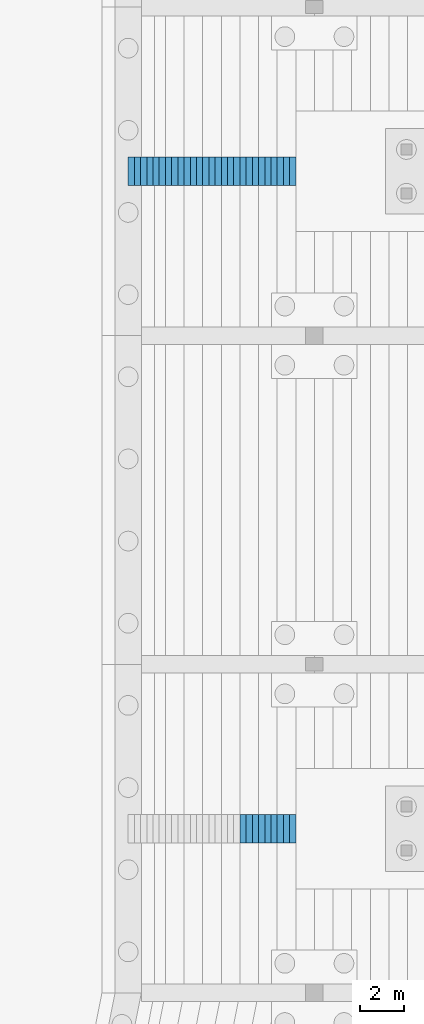
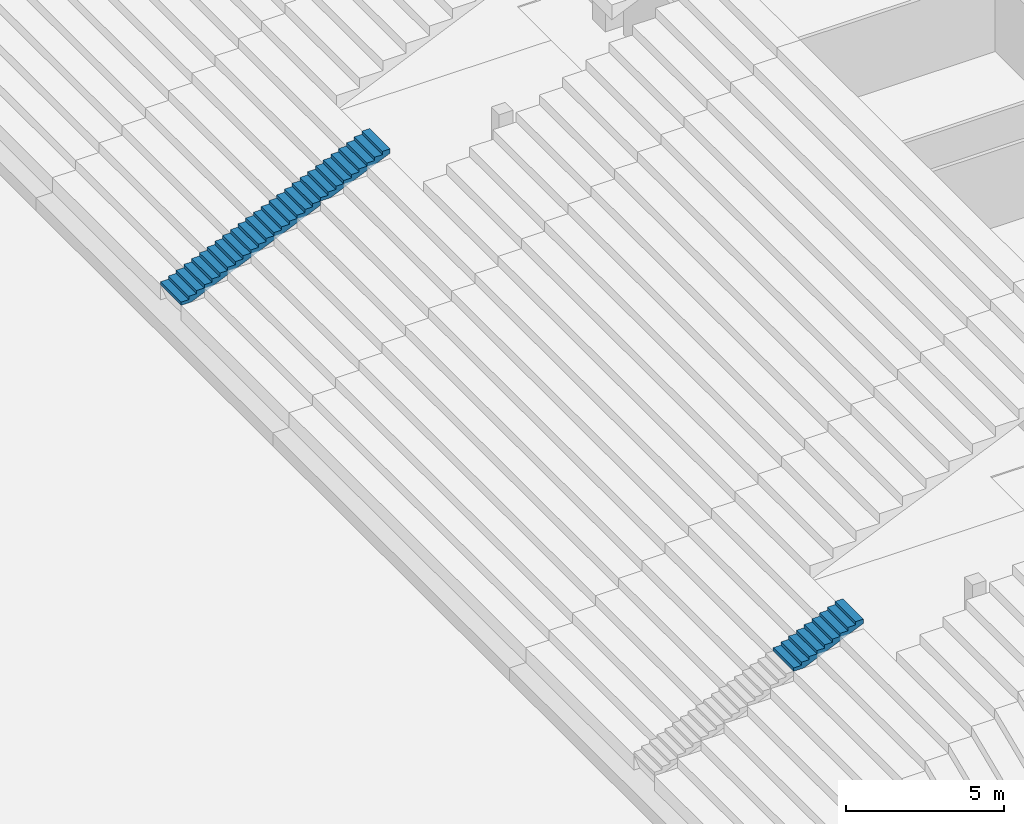
# One storey, part 79 of 115: 3 stair flights, 2 elements without a shape of their own.
"""IFC4 building model written with IfcOpenShell, lengths in metres."""

from ifc_helpers import new_model, si_unit, direction, frame, origin, place, context, subcontext, project, spatial, faceted_brep, material, type_object, element, aggregate, save


model = new_model("IFC4")

# Units and contexts
model_context = context("Model", 3, precision=1e-05, world=origin(), true_north=direction((0.0, 1.0)))
body_context = subcontext(model_context, "Body", "Model", "MODEL_VIEW")
ifc_project = project(units=[si_unit("LENGTHUNIT", "METRE"), si_unit("AREAUNIT", "SQUARE_METRE"), si_unit("VOLUMEUNIT", "CUBIC_METRE"), si_unit("PLANEANGLEUNIT", "RADIAN"), si_unit("MASSUNIT", "GRAM", prefix="KILO")], contexts=[model_context])

# Site, building, storey
site_placement = place(None, origin())
site = spatial("IfcSite", under=ifc_project, at=site_placement, CompositionType="ELEMENT")
building_placement = place(site_placement, origin())
building = spatial("IfcBuilding", under=site, at=building_placement, Name="Ogive Plaza Stadium", CompositionType="ELEMENT")
storey_placement = place(building_placement, frame((0.0, 0.0, -4.5)))
storey = spatial("IfcBuildingStorey", under=building, at=storey_placement, Name="B1", CompositionType="ELEMENT", Elevation=-4.5)

# Stair, stair flights
ifc_material_1 = material(Name="Concrete C40/50", Category="concrete")
stair_type = type_object("IfcStairType", Name="Aisle stair", PredefinedType="STRAIGHT_RUN_STAIR", material=ifc_material_1)
stair_1_placement = place(storey_placement, origin())
stair_1 = element("IfcStair", 1, at=stair_1_placement, inside=storey, type_object=stair_type, Name="Aisle stair SA05D", PredefinedType="STRAIGHT_RUN_STAIR")
ifc_material_2 = material(Name="Concrete C40/50", Category="concrete")
stair_flight_type = type_object("IfcStairFlightType", Name="Aisle stair flight", PredefinedType="STRAIGHT", material=ifc_material_2)
stair_flight_1_placement = place(storey_placement, frame((41.5, -15.0, 1.125), z_axis=(0.0, 0.0, 1.0), x_axis=(1.0, 0.0, 0.0)))
stair_flight_1 = element("IfcStairFlight", 2, at=stair_flight_1_placement, type_object=stair_flight_type, Name="SA05D flight 1", NumberOfRisers=18, NumberOfTreads=17, PredefinedType="STRAIGHT", RiserHeight=0.125, TreadLength=0.283333333, context=body_context, shape_type="Brep", body=[
    faceted_brep([(0.371337890625, -0.64990234375, 0.0), (5.10009765625, -0.64990234375, 2.086181640625), (5.10009765625, -0.64990234375, 2.25), (4.816650390625, -0.64990234375, 2.25), (4.816650390625, -0.64990234375, 2.125), (4.533447265625, -0.64990234375, 2.125), (4.533447265625, -0.64990234375, 2.0), (4.25, -0.64990234375, 2.0), (4.25, -0.64990234375, 1.875), (3.966552734375, -0.64990234375, 1.875), (3.966552734375, -0.64990234375, 1.75), (3.683349609375, -0.64990234375, 1.75), (3.683349609375, -0.64990234375, 1.625), (3.39990234375, -0.64990234375, 1.625), (3.39990234375, -0.64990234375, 1.5), (3.11669921875, -0.64990234375, 1.5), (3.11669921875, -0.64990234375, 1.375), (2.833251953125, -0.64990234375, 1.375), (2.833251953125, -0.64990234375, 1.25), (2.550048828125, -0.64990234375, 1.25), (2.550048828125, -0.64990234375, 1.125), (2.2666015625, -0.64990234375, 1.125), (2.2666015625, -0.64990234375, 1.0), (1.9833984375, -0.64990234375, 1.0), (1.9833984375, -0.64990234375, 0.875), (1.699951171875, -0.64990234375, 0.875), (1.699951171875, -0.64990234375, 0.75), (1.416748046875, -0.64990234375, 0.75), (1.416748046875, -0.64990234375, 0.625), (1.13330078125, -0.64990234375, 0.625), (1.13330078125, -0.64990234375, 0.5), (0.85009765625, -0.64990234375, 0.5), (0.85009765625, -0.64990234375, 0.375), (0.566650390625, -0.64990234375, 0.375), (0.566650390625, -0.64990234375, 0.25), (0.283447265625, -0.64990234375, 0.25), (0.283447265625, -0.64990234375, 0.125), (0.0, -0.64990234375, 0.125), (0.0, -0.64990234375, 0.0), (0.0, 0.64990234375, 0.0), (0.0, 0.64990234375, 0.125), (0.283447265625, 0.64990234375, 0.125), (0.283447265625, 0.64990234375, 0.25), (0.566650390625, 0.64990234375, 0.25), (0.566650390625, 0.64990234375, 0.375), (0.85009765625, 0.64990234375, 0.375), (0.85009765625, 0.64990234375, 0.5), (1.13330078125, 0.64990234375, 0.5), (1.13330078125, 0.64990234375, 0.625), (1.416748046875, 0.64990234375, 0.625), (1.416748046875, 0.64990234375, 0.75), (1.699951171875, 0.64990234375, 0.75), (1.699951171875, 0.64990234375, 0.875), (1.9833984375, 0.64990234375, 0.875), (1.9833984375, 0.64990234375, 1.0), (2.2666015625, 0.64990234375, 1.0), (2.2666015625, 0.64990234375, 1.125), (2.550048828125, 0.64990234375, 1.125), (2.550048828125, 0.64990234375, 1.25), (2.833251953125, 0.64990234375, 1.25), (2.833251953125, 0.64990234375, 1.375), (3.11669921875, 0.64990234375, 1.375), (3.11669921875, 0.64990234375, 1.5), (3.39990234375, 0.64990234375, 1.5), (3.39990234375, 0.64990234375, 1.625), (3.683349609375, 0.64990234375, 1.625), (3.683349609375, 0.64990234375, 1.75), (3.966552734375, 0.64990234375, 1.75), (3.966552734375, 0.64990234375, 1.875), (4.25, 0.64990234375, 1.875), (4.25, 0.64990234375, 2.0), (4.533447265625, 0.64990234375, 2.0), (4.533447265625, 0.64990234375, 2.125), (4.816650390625, 0.64990234375, 2.125), (4.816650390625, 0.64990234375, 2.25), (5.10009765625, 0.64990234375, 2.25), (5.10009765625, 0.64990234375, 2.086181640625), (0.371337890625, 0.64990234375, 0.0), (0.371337890625, -0.324951171875, 0.0), (5.10009765625, -0.324951171875, 2.086181640625), (0.371337890625, 0.0, 0.0), (5.10009765625, 0.0, 2.086181640625), (0.371337890625, 0.324951171875, 0.0), (5.10009765625, 0.324951171875, 2.086181640625), (5.10009765625, -0.324951171875, 2.25), (5.10009765625, 0.0, 2.25), (5.10009765625, 0.324951171875, 2.25), (4.816650390625, -0.324951171875, 2.25), (4.816650390625, 0.0, 2.25), (4.816650390625, 0.324951171875, 2.25), (4.816650390625, -0.324951171875, 2.125), (4.816650390625, 0.0, 2.125), (4.816650390625, 0.324951171875, 2.125), (4.533447265625, -0.324951171875, 2.125), (4.533447265625, 0.0, 2.125), (4.533447265625, 0.324951171875, 2.125), (4.533447265625, -0.324951171875, 2.0), (4.533447265625, 0.0, 2.0), (4.533447265625, 0.324951171875, 2.0), (4.25, -0.324951171875, 2.0), (4.25, 0.0, 2.0), (4.25, 0.324951171875, 2.0), (4.25, -0.324951171875, 1.875), (4.25, 0.0, 1.875), (4.25, 0.324951171875, 1.875), (3.966552734375, -0.324951171875, 1.875), (3.966552734375, 0.0, 1.875), (3.966552734375, 0.324951171875, 1.875), (3.966552734375, -0.324951171875, 1.75), (3.966552734375, 0.0, 1.75), (3.966552734375, 0.324951171875, 1.75), (3.683349609375, -0.324951171875, 1.75), (3.683349609375, 0.0, 1.75), (3.683349609375, 0.324951171875, 1.75), (3.683349609375, -0.324951171875, 1.625), (3.683349609375, 0.0, 1.625), (3.683349609375, 0.324951171875, 1.625), (3.39990234375, -0.324951171875, 1.625), (3.39990234375, 0.0, 1.625), (3.39990234375, 0.324951171875, 1.625), (3.39990234375, -0.324951171875, 1.5), (3.39990234375, 0.0, 1.5), (3.39990234375, 0.324951171875, 1.5), (3.11669921875, -0.324951171875, 1.5), (3.11669921875, 0.0, 1.5), (3.11669921875, 0.324951171875, 1.5), (3.11669921875, -0.324951171875, 1.375), (3.11669921875, 0.0, 1.375), (3.11669921875, 0.324951171875, 1.375), (2.833251953125, -0.324951171875, 1.375), (2.833251953125, 0.0, 1.375), (2.833251953125, 0.324951171875, 1.375), (2.833251953125, -0.324951171875, 1.25), (2.833251953125, 0.0, 1.25), (2.833251953125, 0.324951171875, 1.25), (2.550048828125, -0.324951171875, 1.25), (2.550048828125, 0.0, 1.25), (2.550048828125, 0.324951171875, 1.25), (2.550048828125, -0.324951171875, 1.125), (2.550048828125, 0.0, 1.125), (2.550048828125, 0.324951171875, 1.125), (2.2666015625, -0.324951171875, 1.125), (2.2666015625, 0.0, 1.125), (2.2666015625, 0.324951171875, 1.125), (2.2666015625, -0.324951171875, 1.0), (2.2666015625, 0.0, 1.0), (2.2666015625, 0.324951171875, 1.0), (1.9833984375, -0.324951171875, 1.0), (1.9833984375, 0.0, 1.0), (1.9833984375, 0.324951171875, 1.0), (1.9833984375, -0.324951171875, 0.875), (1.9833984375, 0.0, 0.875), (1.9833984375, 0.324951171875, 0.875), (1.699951171875, -0.324951171875, 0.875), (1.699951171875, 0.0, 0.875), (1.699951171875, 0.324951171875, 0.875), (1.699951171875, -0.324951171875, 0.75), (1.699951171875, 0.0, 0.75), (1.699951171875, 0.324951171875, 0.75), (1.416748046875, -0.324951171875, 0.75), (1.416748046875, 0.0, 0.75), (1.416748046875, 0.324951171875, 0.75), (1.416748046875, -0.324951171875, 0.625), (1.416748046875, 0.0, 0.625), (1.416748046875, 0.324951171875, 0.625), (1.13330078125, -0.324951171875, 0.625), (1.13330078125, 0.0, 0.625), (1.13330078125, 0.324951171875, 0.625), (1.13330078125, -0.324951171875, 0.5), (1.13330078125, 0.0, 0.5), (1.13330078125, 0.324951171875, 0.5), (0.85009765625, -0.324951171875, 0.5), (0.85009765625, 0.0, 0.5), (0.85009765625, 0.324951171875, 0.5), (0.85009765625, -0.324951171875, 0.375), (0.85009765625, 0.0, 0.375), (0.85009765625, 0.324951171875, 0.375), (0.566650390625, -0.324951171875, 0.375), (0.566650390625, 0.0, 0.375), (0.566650390625, 0.324951171875, 0.375), (0.566650390625, -0.324951171875, 0.25), (0.566650390625, 0.0, 0.25), (0.566650390625, 0.324951171875, 0.25), (0.283447265625, -0.324951171875, 0.25), (0.283447265625, 0.0, 0.25), (0.283447265625, 0.324951171875, 0.25), (0.283447265625, -0.324951171875, 0.125), (0.283447265625, 0.0, 0.125), (0.283447265625, 0.324951171875, 0.125), (0.0, -0.324951171875, 0.125), (0.0, 0.0, 0.125), (0.0, 0.324951171875, 0.125), (0.0, -0.324951171875, 0.0), (0.0, 0.0, 0.0), (0.0, 0.324951171875, 0.0)], [[[0, 1, 2, 3, 4, 5, 6, 7, 8, 9, 10, 11, 12, 13, 14, 15, 16, 17, 18, 19, 20, 21, 22, 23, 24, 25, 26, 27, 28, 29, 30, 31, 32, 33, 34, 35, 36, 37, 38]], [[39, 40, 41, 42, 43, 44, 45, 46, 47, 48, 49, 50, 51, 52, 53, 54, 55, 56, 57, 58, 59, 60, 61, 62, 63, 64, 65, 66, 67, 68, 69, 70, 71, 72, 73, 74, 75, 76, 77]], [[0, 78, 79, 1]], [[78, 80, 81, 79]], [[80, 82, 83, 81]], [[82, 77, 76, 83]], [[1, 79, 84, 2]], [[79, 81, 85, 84]], [[81, 83, 86, 85]], [[83, 76, 75, 86]], [[2, 84, 87, 3]], [[84, 85, 88, 87]], [[85, 86, 89, 88]], [[86, 75, 74, 89]], [[3, 87, 90, 4]], [[87, 88, 91, 90]], [[88, 89, 92, 91]], [[89, 74, 73, 92]], [[4, 90, 93, 5]], [[90, 91, 94, 93]], [[91, 92, 95, 94]], [[92, 73, 72, 95]], [[5, 93, 96, 6]], [[93, 94, 97, 96]], [[94, 95, 98, 97]], [[95, 72, 71, 98]], [[6, 96, 99, 7]], [[96, 97, 100, 99]], [[97, 98, 101, 100]], [[98, 71, 70, 101]], [[7, 99, 102, 8]], [[99, 100, 103, 102]], [[100, 101, 104, 103]], [[101, 70, 69, 104]], [[8, 102, 105, 9]], [[102, 103, 106, 105]], [[103, 104, 107, 106]], [[104, 69, 68, 107]], [[9, 105, 108, 10]], [[105, 106, 109, 108]], [[106, 107, 110, 109]], [[107, 68, 67, 110]], [[10, 108, 111, 11]], [[108, 109, 112, 111]], [[109, 110, 113, 112]], [[110, 67, 66, 113]], [[11, 111, 114, 12]], [[111, 112, 115, 114]], [[112, 113, 116, 115]], [[113, 66, 65, 116]], [[12, 114, 117, 13]], [[114, 115, 118, 117]], [[115, 116, 119, 118]], [[116, 65, 64, 119]], [[13, 117, 120, 14]], [[117, 118, 121, 120]], [[118, 119, 122, 121]], [[119, 64, 63, 122]], [[14, 120, 123, 15]], [[120, 121, 124, 123]], [[121, 122, 125, 124]], [[122, 63, 62, 125]], [[15, 123, 126, 16]], [[123, 124, 127, 126]], [[124, 125, 128, 127]], [[125, 62, 61, 128]], [[16, 126, 129, 17]], [[126, 127, 130, 129]], [[127, 128, 131, 130]], [[128, 61, 60, 131]], [[17, 129, 132, 18]], [[129, 130, 133, 132]], [[130, 131, 134, 133]], [[131, 60, 59, 134]], [[18, 132, 135, 19]], [[132, 133, 136, 135]], [[133, 134, 137, 136]], [[134, 59, 58, 137]], [[19, 135, 138, 20]], [[135, 136, 139, 138]], [[136, 137, 140, 139]], [[137, 58, 57, 140]], [[20, 138, 141, 21]], [[138, 139, 142, 141]], [[139, 140, 143, 142]], [[140, 57, 56, 143]], [[21, 141, 144, 22]], [[141, 142, 145, 144]], [[142, 143, 146, 145]], [[143, 56, 55, 146]], [[22, 144, 147, 23]], [[144, 145, 148, 147]], [[145, 146, 149, 148]], [[146, 55, 54, 149]], [[23, 147, 150, 24]], [[147, 148, 151, 150]], [[148, 149, 152, 151]], [[149, 54, 53, 152]], [[24, 150, 153, 25]], [[150, 151, 154, 153]], [[151, 152, 155, 154]], [[152, 53, 52, 155]], [[25, 153, 156, 26]], [[153, 154, 157, 156]], [[154, 155, 158, 157]], [[155, 52, 51, 158]], [[26, 156, 159, 27]], [[156, 157, 160, 159]], [[157, 158, 161, 160]], [[158, 51, 50, 161]], [[27, 159, 162, 28]], [[159, 160, 163, 162]], [[160, 161, 164, 163]], [[161, 50, 49, 164]], [[28, 162, 165, 29]], [[162, 163, 166, 165]], [[163, 164, 167, 166]], [[164, 49, 48, 167]], [[29, 165, 168, 30]], [[165, 166, 169, 168]], [[166, 167, 170, 169]], [[167, 48, 47, 170]], [[30, 168, 171, 31]], [[168, 169, 172, 171]], [[169, 170, 173, 172]], [[170, 47, 46, 173]], [[31, 171, 174, 32]], [[171, 172, 175, 174]], [[172, 173, 176, 175]], [[173, 46, 45, 176]], [[32, 174, 177, 33]], [[174, 175, 178, 177]], [[175, 176, 179, 178]], [[176, 45, 44, 179]], [[33, 177, 180, 34]], [[177, 178, 181, 180]], [[178, 179, 182, 181]], [[179, 44, 43, 182]], [[34, 180, 183, 35]], [[180, 181, 184, 183]], [[181, 182, 185, 184]], [[182, 43, 42, 185]], [[35, 183, 186, 36]], [[183, 184, 187, 186]], [[184, 185, 188, 187]], [[185, 42, 41, 188]], [[36, 186, 189, 37]], [[186, 187, 190, 189]], [[187, 188, 191, 190]], [[188, 41, 40, 191]], [[37, 189, 192, 38]], [[189, 190, 193, 192]], [[190, 191, 194, 193]], [[191, 40, 39, 194]], [[38, 192, 78, 0]], [[192, 193, 80, 78]], [[193, 194, 82, 80]], [[194, 39, 77, 82]]]),
])
stair_flight_2_placement = place(storey_placement, frame((46.60009765625, -15.0, 3.375), z_axis=(0.0, 0.0, 1.0), x_axis=(1.0, 0.0, 0.0)))
stair_flight_2 = element("IfcStairFlight", 3, at=stair_flight_2_placement, type_object=stair_flight_type, Name="SA05D flight 2", NumberOfRisers=9, NumberOfTreads=8, PredefinedType="STRAIGHT", RiserHeight=0.125, TreadLength=0.283333333, context=body_context, shape_type="Brep", body=[
    faceted_brep([(0.371337890625, -0.64990234375, 0.0), (2.550048828125, -0.64990234375, 0.961181640625), (2.550048828125, -0.64990234375, 1.125), (2.2666015625, -0.64990234375, 1.125), (2.2666015625, -0.64990234375, 1.0), (1.9833984375, -0.64990234375, 1.0), (1.9833984375, -0.64990234375, 0.875), (1.699951171875, -0.64990234375, 0.875), (1.699951171875, -0.64990234375, 0.75), (1.416748046875, -0.64990234375, 0.75), (1.416748046875, -0.64990234375, 0.625), (1.13330078125, -0.64990234375, 0.625), (1.13330078125, -0.64990234375, 0.5), (0.85009765625, -0.64990234375, 0.5), (0.85009765625, -0.64990234375, 0.375), (0.566650390625, -0.64990234375, 0.375), (0.566650390625, -0.64990234375, 0.25), (0.283447265625, -0.64990234375, 0.25), (0.283447265625, -0.64990234375, 0.125), (0.0, -0.64990234375, 0.125), (0.0, -0.64990234375, 0.0), (0.0, 0.64990234375, 0.0), (0.0, 0.64990234375, 0.125), (0.283447265625, 0.64990234375, 0.125), (0.283447265625, 0.64990234375, 0.25), (0.566650390625, 0.64990234375, 0.25), (0.566650390625, 0.64990234375, 0.375), (0.85009765625, 0.64990234375, 0.375), (0.85009765625, 0.64990234375, 0.5), (1.13330078125, 0.64990234375, 0.5), (1.13330078125, 0.64990234375, 0.625), (1.416748046875, 0.64990234375, 0.625), (1.416748046875, 0.64990234375, 0.75), (1.699951171875, 0.64990234375, 0.75), (1.699951171875, 0.64990234375, 0.875), (1.9833984375, 0.64990234375, 0.875), (1.9833984375, 0.64990234375, 1.0), (2.2666015625, 0.64990234375, 1.0), (2.2666015625, 0.64990234375, 1.125), (2.550048828125, 0.64990234375, 1.125), (2.550048828125, 0.64990234375, 0.961181640625), (0.371337890625, 0.64990234375, 0.0), (0.371337890625, -0.324951171875, 0.0), (2.550048828125, -0.324951171875, 0.961181640625), (0.371337890625, 0.0, 0.0), (2.550048828125, 0.0, 0.961181640625), (0.371337890625, 0.324951171875, 0.0), (2.550048828125, 0.324951171875, 0.961181640625), (2.550048828125, -0.324951171875, 1.125), (2.550048828125, 0.0, 1.125), (2.550048828125, 0.324951171875, 1.125), (2.2666015625, -0.324951171875, 1.125), (2.2666015625, 0.0, 1.125), (2.2666015625, 0.324951171875, 1.125), (2.2666015625, -0.324951171875, 1.0), (2.2666015625, 0.0, 1.0), (2.2666015625, 0.324951171875, 1.0), (1.9833984375, -0.324951171875, 1.0), (1.9833984375, 0.0, 1.0), (1.9833984375, 0.324951171875, 1.0), (1.9833984375, -0.324951171875, 0.875), (1.9833984375, 0.0, 0.875), (1.9833984375, 0.324951171875, 0.875), (1.699951171875, -0.324951171875, 0.875), (1.699951171875, 0.0, 0.875), (1.699951171875, 0.324951171875, 0.875), (1.699951171875, -0.324951171875, 0.75), (1.699951171875, 0.0, 0.75), (1.699951171875, 0.324951171875, 0.75), (1.416748046875, -0.324951171875, 0.75), (1.416748046875, 0.0, 0.75), (1.416748046875, 0.324951171875, 0.75), (1.416748046875, -0.324951171875, 0.625), (1.416748046875, 0.0, 0.625), (1.416748046875, 0.324951171875, 0.625), (1.13330078125, -0.324951171875, 0.625), (1.13330078125, 0.0, 0.625), (1.13330078125, 0.324951171875, 0.625), (1.13330078125, -0.324951171875, 0.5), (1.13330078125, 0.0, 0.5), (1.13330078125, 0.324951171875, 0.5), (0.85009765625, -0.324951171875, 0.5), (0.85009765625, 0.0, 0.5), (0.85009765625, 0.324951171875, 0.5), (0.85009765625, -0.324951171875, 0.375), (0.85009765625, 0.0, 0.375), (0.85009765625, 0.324951171875, 0.375), (0.566650390625, -0.324951171875, 0.375), (0.566650390625, 0.0, 0.375), (0.566650390625, 0.324951171875, 0.375), (0.566650390625, -0.324951171875, 0.25), (0.566650390625, 0.0, 0.25), (0.566650390625, 0.324951171875, 0.25), (0.283447265625, -0.324951171875, 0.25), (0.283447265625, 0.0, 0.25), (0.283447265625, 0.324951171875, 0.25), (0.283447265625, -0.324951171875, 0.125), (0.283447265625, 0.0, 0.125), (0.283447265625, 0.324951171875, 0.125), (0.0, -0.324951171875, 0.125), (0.0, 0.0, 0.125), (0.0, 0.324951171875, 0.125), (0.0, -0.324951171875, 0.0), (0.0, 0.0, 0.0), (0.0, 0.324951171875, 0.0)], [[[0, 1, 2, 3, 4, 5, 6, 7, 8, 9, 10, 11, 12, 13, 14, 15, 16, 17, 18, 19, 20]], [[21, 22, 23, 24, 25, 26, 27, 28, 29, 30, 31, 32, 33, 34, 35, 36, 37, 38, 39, 40, 41]], [[0, 42, 43, 1]], [[42, 44, 45, 43]], [[44, 46, 47, 45]], [[46, 41, 40, 47]], [[1, 43, 48, 2]], [[43, 45, 49, 48]], [[45, 47, 50, 49]], [[47, 40, 39, 50]], [[2, 48, 51, 3]], [[48, 49, 52, 51]], [[49, 50, 53, 52]], [[50, 39, 38, 53]], [[3, 51, 54, 4]], [[51, 52, 55, 54]], [[52, 53, 56, 55]], [[53, 38, 37, 56]], [[4, 54, 57, 5]], [[54, 55, 58, 57]], [[55, 56, 59, 58]], [[56, 37, 36, 59]], [[5, 57, 60, 6]], [[57, 58, 61, 60]], [[58, 59, 62, 61]], [[59, 36, 35, 62]], [[6, 60, 63, 7]], [[60, 61, 64, 63]], [[61, 62, 65, 64]], [[62, 35, 34, 65]], [[7, 63, 66, 8]], [[63, 64, 67, 66]], [[64, 65, 68, 67]], [[65, 34, 33, 68]], [[8, 66, 69, 9]], [[66, 67, 70, 69]], [[67, 68, 71, 70]], [[68, 33, 32, 71]], [[9, 69, 72, 10]], [[69, 70, 73, 72]], [[70, 71, 74, 73]], [[71, 32, 31, 74]], [[10, 72, 75, 11]], [[72, 73, 76, 75]], [[73, 74, 77, 76]], [[74, 31, 30, 77]], [[11, 75, 78, 12]], [[75, 76, 79, 78]], [[76, 77, 80, 79]], [[77, 30, 29, 80]], [[12, 78, 81, 13]], [[78, 79, 82, 81]], [[79, 80, 83, 82]], [[80, 29, 28, 83]], [[13, 81, 84, 14]], [[81, 82, 85, 84]], [[82, 83, 86, 85]], [[83, 28, 27, 86]], [[14, 84, 87, 15]], [[84, 85, 88, 87]], [[85, 86, 89, 88]], [[86, 27, 26, 89]], [[15, 87, 90, 16]], [[87, 88, 91, 90]], [[88, 89, 92, 91]], [[89, 26, 25, 92]], [[16, 90, 93, 17]], [[90, 91, 94, 93]], [[91, 92, 95, 94]], [[92, 25, 24, 95]], [[17, 93, 96, 18]], [[93, 94, 97, 96]], [[94, 95, 98, 97]], [[95, 24, 23, 98]], [[18, 96, 99, 19]], [[96, 97, 100, 99]], [[97, 98, 101, 100]], [[98, 23, 22, 101]], [[19, 99, 102, 20]], [[99, 100, 103, 102]], [[100, 101, 104, 103]], [[101, 22, 21, 104]], [[20, 102, 42, 0]], [[102, 103, 44, 42]], [[103, 104, 46, 44]], [[104, 21, 41, 46]]]),
])
aggregate(stair_1, [stair_flight_1, stair_flight_2])

# Stair, stair flight
stair_2_placement = place(storey_placement, origin())
stair_2 = element("IfcStair", 4, at=stair_2_placement, inside=storey, type_object=stair_type, Name="Aisle stair SA07D", PredefinedType="STRAIGHT_RUN_STAIR")
stair_flight_3_placement = place(storey_placement, frame((46.60009765625, -45.0, 3.375), z_axis=(0.0, 0.0, 1.0), x_axis=(1.0, 0.0, 0.0)))
stair_flight_3 = element("IfcStairFlight", 5, at=stair_flight_3_placement, type_object=stair_flight_type, Name="SA07D flight 2", NumberOfRisers=9, NumberOfTreads=8, PredefinedType="STRAIGHT", RiserHeight=0.125, TreadLength=0.283333333, context=body_context, shape_type="Brep", body=[
    faceted_brep([(0.371337890625, -0.64990234375, 0.0), (2.550048828125, -0.64990234375, 0.961181640625), (2.550048828125, -0.64990234375, 1.125), (2.2666015625, -0.64990234375, 1.125), (2.2666015625, -0.64990234375, 1.0), (1.9833984375, -0.64990234375, 1.0), (1.9833984375, -0.64990234375, 0.875), (1.699951171875, -0.64990234375, 0.875), (1.699951171875, -0.64990234375, 0.75), (1.416748046875, -0.64990234375, 0.75), (1.416748046875, -0.64990234375, 0.625), (1.13330078125, -0.64990234375, 0.625), (1.13330078125, -0.64990234375, 0.5), (0.85009765625, -0.64990234375, 0.5), (0.85009765625, -0.64990234375, 0.375), (0.566650390625, -0.64990234375, 0.375), (0.566650390625, -0.64990234375, 0.25), (0.283447265625, -0.64990234375, 0.25), (0.283447265625, -0.64990234375, 0.125), (0.0, -0.64990234375, 0.125), (0.0, -0.64990234375, 0.0), (0.0, 0.64990234375, 0.0), (0.0, 0.64990234375, 0.125), (0.283447265625, 0.64990234375, 0.125), (0.283447265625, 0.64990234375, 0.25), (0.566650390625, 0.64990234375, 0.25), (0.566650390625, 0.64990234375, 0.375), (0.85009765625, 0.64990234375, 0.375), (0.85009765625, 0.64990234375, 0.5), (1.13330078125, 0.64990234375, 0.5), (1.13330078125, 0.64990234375, 0.625), (1.416748046875, 0.64990234375, 0.625), (1.416748046875, 0.64990234375, 0.75), (1.699951171875, 0.64990234375, 0.75), (1.699951171875, 0.64990234375, 0.875), (1.9833984375, 0.64990234375, 0.875), (1.9833984375, 0.64990234375, 1.0), (2.2666015625, 0.64990234375, 1.0), (2.2666015625, 0.64990234375, 1.125), (2.550048828125, 0.64990234375, 1.125), (2.550048828125, 0.64990234375, 0.961181640625), (0.371337890625, 0.64990234375, 0.0), (0.371337890625, -0.324951171875, 0.0), (2.550048828125, -0.324951171875, 0.961181640625), (0.371337890625, 0.0, 0.0), (2.550048828125, 0.0, 0.961181640625), (0.371337890625, 0.324951171875, 0.0), (2.550048828125, 0.324951171875, 0.961181640625), (2.550048828125, -0.324951171875, 1.125), (2.550048828125, 0.0, 1.125), (2.550048828125, 0.324951171875, 1.125), (2.2666015625, -0.324951171875, 1.125), (2.2666015625, 0.0, 1.125), (2.2666015625, 0.324951171875, 1.125), (2.2666015625, -0.324951171875, 1.0), (2.2666015625, 0.0, 1.0), (2.2666015625, 0.324951171875, 1.0), (1.9833984375, -0.324951171875, 1.0), (1.9833984375, 0.0, 1.0), (1.9833984375, 0.324951171875, 1.0), (1.9833984375, -0.324951171875, 0.875), (1.9833984375, 0.0, 0.875), (1.9833984375, 0.324951171875, 0.875), (1.699951171875, -0.324951171875, 0.875), (1.699951171875, 0.0, 0.875), (1.699951171875, 0.324951171875, 0.875), (1.699951171875, -0.324951171875, 0.75), (1.699951171875, 0.0, 0.75), (1.699951171875, 0.324951171875, 0.75), (1.416748046875, -0.324951171875, 0.75), (1.416748046875, 0.0, 0.75), (1.416748046875, 0.324951171875, 0.75), (1.416748046875, -0.324951171875, 0.625), (1.416748046875, 0.0, 0.625), (1.416748046875, 0.324951171875, 0.625), (1.13330078125, -0.324951171875, 0.625), (1.13330078125, 0.0, 0.625), (1.13330078125, 0.324951171875, 0.625), (1.13330078125, -0.324951171875, 0.5), (1.13330078125, 0.0, 0.5), (1.13330078125, 0.324951171875, 0.5), (0.85009765625, -0.324951171875, 0.5), (0.85009765625, 0.0, 0.5), (0.85009765625, 0.324951171875, 0.5), (0.85009765625, -0.324951171875, 0.375), (0.85009765625, 0.0, 0.375), (0.85009765625, 0.324951171875, 0.375), (0.566650390625, -0.324951171875, 0.375), (0.566650390625, 0.0, 0.375), (0.566650390625, 0.324951171875, 0.375), (0.566650390625, -0.324951171875, 0.25), (0.566650390625, 0.0, 0.25), (0.566650390625, 0.324951171875, 0.25), (0.283447265625, -0.324951171875, 0.25), (0.283447265625, 0.0, 0.25), (0.283447265625, 0.324951171875, 0.25), (0.283447265625, -0.324951171875, 0.125), (0.283447265625, 0.0, 0.125), (0.283447265625, 0.324951171875, 0.125), (0.0, -0.324951171875, 0.125), (0.0, 0.0, 0.125), (0.0, 0.324951171875, 0.125), (0.0, -0.324951171875, 0.0), (0.0, 0.0, 0.0), (0.0, 0.324951171875, 0.0)], [[[0, 1, 2, 3, 4, 5, 6, 7, 8, 9, 10, 11, 12, 13, 14, 15, 16, 17, 18, 19, 20]], [[21, 22, 23, 24, 25, 26, 27, 28, 29, 30, 31, 32, 33, 34, 35, 36, 37, 38, 39, 40, 41]], [[0, 42, 43, 1]], [[42, 44, 45, 43]], [[44, 46, 47, 45]], [[46, 41, 40, 47]], [[1, 43, 48, 2]], [[43, 45, 49, 48]], [[45, 47, 50, 49]], [[47, 40, 39, 50]], [[2, 48, 51, 3]], [[48, 49, 52, 51]], [[49, 50, 53, 52]], [[50, 39, 38, 53]], [[3, 51, 54, 4]], [[51, 52, 55, 54]], [[52, 53, 56, 55]], [[53, 38, 37, 56]], [[4, 54, 57, 5]], [[54, 55, 58, 57]], [[55, 56, 59, 58]], [[56, 37, 36, 59]], [[5, 57, 60, 6]], [[57, 58, 61, 60]], [[58, 59, 62, 61]], [[59, 36, 35, 62]], [[6, 60, 63, 7]], [[60, 61, 64, 63]], [[61, 62, 65, 64]], [[62, 35, 34, 65]], [[7, 63, 66, 8]], [[63, 64, 67, 66]], [[64, 65, 68, 67]], [[65, 34, 33, 68]], [[8, 66, 69, 9]], [[66, 67, 70, 69]], [[67, 68, 71, 70]], [[68, 33, 32, 71]], [[9, 69, 72, 10]], [[69, 70, 73, 72]], [[70, 71, 74, 73]], [[71, 32, 31, 74]], [[10, 72, 75, 11]], [[72, 73, 76, 75]], [[73, 74, 77, 76]], [[74, 31, 30, 77]], [[11, 75, 78, 12]], [[75, 76, 79, 78]], [[76, 77, 80, 79]], [[77, 30, 29, 80]], [[12, 78, 81, 13]], [[78, 79, 82, 81]], [[79, 80, 83, 82]], [[80, 29, 28, 83]], [[13, 81, 84, 14]], [[81, 82, 85, 84]], [[82, 83, 86, 85]], [[83, 28, 27, 86]], [[14, 84, 87, 15]], [[84, 85, 88, 87]], [[85, 86, 89, 88]], [[86, 27, 26, 89]], [[15, 87, 90, 16]], [[87, 88, 91, 90]], [[88, 89, 92, 91]], [[89, 26, 25, 92]], [[16, 90, 93, 17]], [[90, 91, 94, 93]], [[91, 92, 95, 94]], [[92, 25, 24, 95]], [[17, 93, 96, 18]], [[93, 94, 97, 96]], [[94, 95, 98, 97]], [[95, 24, 23, 98]], [[18, 96, 99, 19]], [[96, 97, 100, 99]], [[97, 98, 101, 100]], [[98, 23, 22, 101]], [[19, 99, 102, 20]], [[99, 100, 103, 102]], [[100, 101, 104, 103]], [[101, 22, 21, 104]], [[20, 102, 42, 0]], [[102, 103, 44, 42]], [[103, 104, 46, 44]], [[104, 21, 41, 46]]]),
])
aggregate(stair_2, [stair_flight_3])

save(model, "model.ifc")
